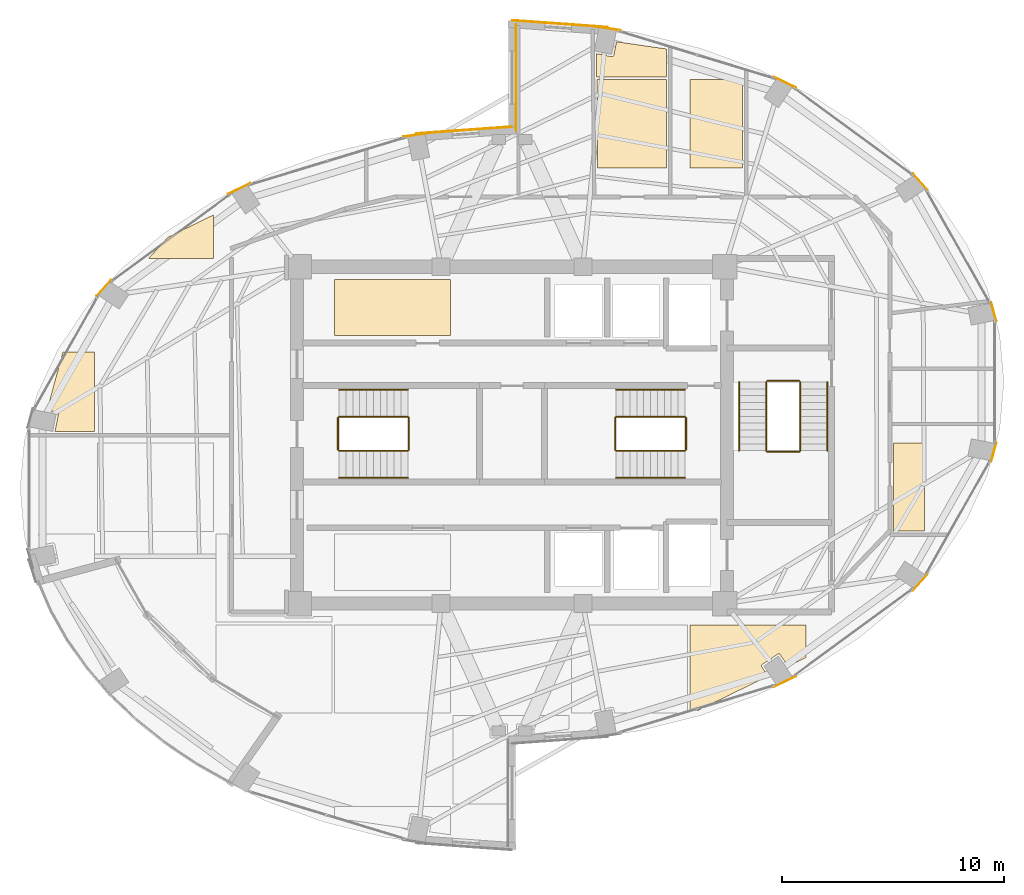
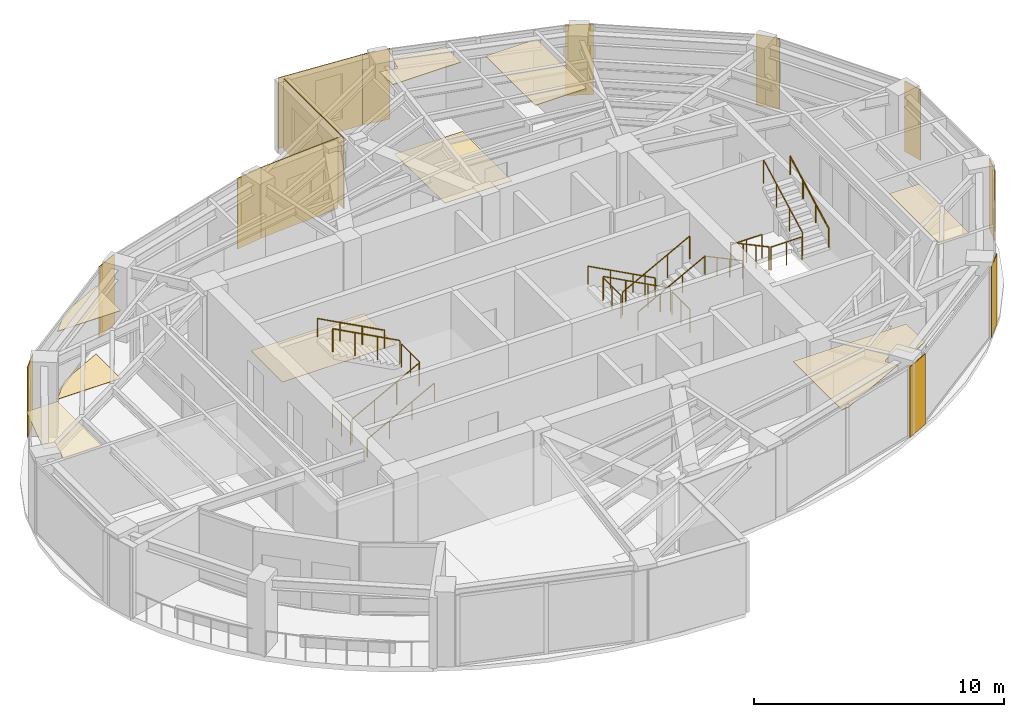
# One storey, part 21 of 21: 22 coverings, 18 railings.
"""IFC4 building model written with IfcOpenShell, lengths in metres."""

from ifc_helpers import new_model, si_unit, direction, frame, origin, origin_2d, place, context, subcontext, project, spatial, polyline, rectangle, circle, outline, extrude, material, layer, layer_set, type_object, element, save


model = new_model("IFC4")

# Units and contexts
model_context = context("Model", 3, precision=1e-05, world=origin(), true_north=direction((0.0, 1.0)))
body_context = subcontext(model_context, "Body", "Model", "MODEL_VIEW")
ifc_project = project(units=[si_unit("LENGTHUNIT", "METRE"), si_unit("AREAUNIT", "SQUARE_METRE"), si_unit("VOLUMEUNIT", "CUBIC_METRE"), si_unit("PLANEANGLEUNIT", "RADIAN"), si_unit("MASSUNIT", "GRAM", prefix="KILO")], contexts=[model_context])

# Site, building, storey
site_placement = place(None, origin())
site = spatial("IfcSite", under=ifc_project, at=site_placement, CompositionType="ELEMENT")
building_placement = place(site_placement, origin())
building = spatial("IfcBuilding", under=site, at=building_placement, Name="Lazwardi Medical Tower", CompositionType="ELEMENT")
storey_placement = place(building_placement, frame((0.0, 0.0, 216.719970703125)))
storey = spatial("IfcBuildingStorey", under=building, at=storey_placement, Name="L56", CompositionType="ELEMENT", Elevation=216.719970703125)

# Coverings
ifc_material_1 = material(Name="Anodised bronze aluminium cassette cladding", Category="aluminium")
ifc_layer_1 = layer(ifc_material_1, 0.030029296875)
ifc_layer_set_1 = layer_set([ifc_layer_1], Name="Anodised bronze aluminium cassette cladding")
covering_type_1 = type_object("IfcCoveringType", Name="COV-CLD-BRZ", PredefinedType="CLADDING", material=ifc_layer_set_1)
covering_1_placement = place(storey_placement, frame((48.311279296875, 16.878662109375, 0.0), z_axis=(0.0, 0.0, 1.0), x_axis=(0.897840141691, 0.440321564278, 0.0)))
element("IfcCovering", 1, at=covering_1_placement, inside=storey, type_object=covering_type_1, Name="L56 Mega-column bronze cassette cover M02", PredefinedType="CLADDING", context=body_context, shape_type="SweptSolid", body=[
    extrude(rectangle(XDim=1.110595703125, YDim=0.030029296875, at=origin_2d()), origin(), (0.0, 0.0, 1.0), 3.447998046875),
])
covering_2_placement = place(storey_placement, frame((54.42529296875, 21.365234375, 0.0), z_axis=(0.0, 0.0, 1.0), x_axis=(0.673240970654, 0.739423150458, 0.0)))
element("IfcCovering", 2, at=covering_2_placement, inside=storey, type_object=covering_type_1, Name="L56 Mega-column bronze cassette cover M03", PredefinedType="CLADDING", context=body_context, shape_type="SweptSolid", body=[
    extrude(rectangle(XDim=0.98974609375, YDim=0.030029296875, at=origin_2d()), origin(), (0.0, 0.0, 1.0), 3.447998046875),
])
for number, where, z_axis, x_axis, name in (
    (3, (57.734130859375, 27.227294921875, 0.0), (0.0, 0.0, 1.0), (0.261641748247, 0.96516506131, 0.0), "L56 Mega-column bronze cassette cover M04"),
    (4, (57.734130859375, 33.572509765625, 0.0), (0.0, 0.0, 1.0), (-0.261641748247, 0.96516506131, 0.0), "L56 Mega-column bronze cassette cover M05"),
):
    element("IfcCovering", number, at=place(storey_placement, frame(where, z_axis=z_axis, x_axis=x_axis)), inside=storey, type_object=covering_type_1, Name=name, PredefinedType="CLADDING", context=body_context, shape_type="SweptSolid", body=[
        extrude(rectangle(XDim=0.894287109375, YDim=0.030029296875, at=origin_2d()), origin(), (0.0, 0.0, 1.0), 3.447998046875),
    ])
covering_3_placement = place(storey_placement, frame((54.42529296875, 39.434814453125, 0.0), z_axis=(0.0, 0.0, 1.0), x_axis=(-0.673240970654, 0.739423150458, 0.0)))
element("IfcCovering", 5, at=covering_3_placement, inside=storey, type_object=covering_type_1, Name="L56 Mega-column bronze cassette cover M06", PredefinedType="CLADDING", context=body_context, shape_type="SweptSolid", body=[
    extrude(rectangle(XDim=0.98974609375, YDim=0.030029296875, at=origin_2d()), origin(), (0.0, 0.0, 1.0), 3.447998046875),
])
covering_4_placement = place(storey_placement, frame((48.311279296875, 43.92138671875, 0.0), z_axis=(0.0, 0.0, 1.0), x_axis=(-0.897840141691, 0.440321564278, 0.0)))
element("IfcCovering", 6, at=covering_4_placement, inside=storey, type_object=covering_type_1, Name="L56 Mega-column bronze cassette cover M07", PredefinedType="CLADDING", context=body_context, shape_type="SweptSolid", body=[
    extrude(rectangle(XDim=1.110595703125, YDim=0.030029296875, at=origin_2d()), origin(), (0.0, 0.0, 1.0), 3.447998046875),
])
for number, where, z_axis, x_axis, name in (
    (7, (40.3232421875, 46.349609375, 0.0), (0.0, 0.0, 1.0), (-0.989512431533, 0.144447733943, 0.0), "L56 Mega-column bronze cassette cover M08"),
    (8, (31.6767578125, 41.549560546875, 0.0), (0.0, 0.0, 1.0), (-0.989512431533, -0.144447733943, 0.0), "L56 Mega-column bronze cassette cover M09"),
):
    element("IfcCovering", number, at=place(storey_placement, frame(where, z_axis=z_axis, x_axis=x_axis)), inside=storey, type_object=covering_type_1, Name=name, PredefinedType="CLADDING", context=body_context, shape_type="SweptSolid", body=[
        extrude(rectangle(XDim=1.188720703125, YDim=0.030029296875, at=origin_2d()), origin(), (0.0, 0.0, 1.0), 3.447998046875),
    ])
covering_5_placement = place(storey_placement, frame((23.688720703125, 39.121337890625, 0.0), z_axis=(0.0, 0.0, 1.0), x_axis=(-0.897840141691, -0.440321564278, 0.0)))
element("IfcCovering", 9, at=covering_5_placement, inside=storey, type_object=covering_type_1, Name="L56 Mega-column bronze cassette cover M10", PredefinedType="CLADDING", context=body_context, shape_type="SweptSolid", body=[
    extrude(rectangle(XDim=1.110595703125, YDim=0.030029296875, at=origin_2d()), origin(), (0.0, 0.0, 1.0), 3.447998046875),
])
covering_6_placement = place(storey_placement, frame((17.57470703125, 34.634765625, 0.0), z_axis=(0.0, 0.0, 1.0), x_axis=(-0.673240970654, -0.739423150458, 0.0)))
element("IfcCovering", 10, at=covering_6_placement, inside=storey, type_object=covering_type_1, Name="L56 Mega-column bronze cassette cover M11", PredefinedType="CLADDING", context=body_context, shape_type="SweptSolid", body=[
    extrude(rectangle(XDim=0.98974609375, YDim=0.030029296875, at=origin_2d()), origin(), (0.0, 0.0, 1.0), 3.447998046875),
])
ifc_material_2 = material(Name="Turquoise glazed ceramic tilework cladding", Category="masonry")
ifc_layer_2 = layer(ifc_material_2, 0.034912109375)
ifc_layer_set_2 = layer_set([ifc_layer_2], Name="Turquoise glazed ceramic tilework cladding")
covering_type_2 = type_object("IfcCoveringType", Name="COV-CLD-TRQ", PredefinedType="CLADDING", material=ifc_layer_set_2)
covering_7_placement = place(storey_placement, frame((38.16259765625, 46.56005859375, 0.0), z_axis=(0.0, 0.0, 1.0), x_axis=(-0.997409491337, 0.071932653157, 0.0)))
element("IfcCovering", 11, at=covering_7_placement, inside=storey, type_object=covering_type_2, Name="L56 Turquoise glazed ceramic tilework cladding", PredefinedType="CLADDING", context=body_context, shape_type="SweptSolid", body=[
    extrude(rectangle(XDim=4.31103515625, YDim=0.034912109375, at=origin_2d()), origin(), (0.0, 0.0, 1.0), 3.447998046875),
])
covering_8_placement = place(storey_placement, frame((33.83740234375, 41.760009765625, 0.0), z_axis=(0.0, 0.0, 1.0), x_axis=(-0.997408989128, -0.071939616387, 0.0)))
element("IfcCovering", 12, at=covering_8_placement, inside=storey, type_object=covering_type_2, Name="L56 Turquoise glazed ceramic tilework cladding", PredefinedType="CLADDING", context=body_context, shape_type="SweptSolid", body=[
    extrude(rectangle(XDim=4.310546875, YDim=0.034912109375, at=origin_2d()), origin(), (0.0, 0.0, 1.0), 3.447998046875),
])
covering_9_placement = place(storey_placement, frame((36.175537109375, 44.139892578125, 0.0), z_axis=(0.0, 0.0, 1.0), x_axis=(0.0, -1.0, 0.0)))
element("IfcCovering", 13, at=covering_9_placement, inside=storey, type_object=covering_type_2, Name="L56 Turquoise glazed ceramic tilework iwan panel", PredefinedType="CLADDING", context=body_context, shape_type="SweptSolid", body=[
    extrude(rectangle(XDim=4.800048828125, YDim=0.034912109375, at=origin_2d()), origin(), (0.0, 0.0, 1.0), 3.447998046875),
])
ifc_material_3 = material(Name="Acoustic mineral fibre tile")
ifc_layer_3 = layer(ifc_material_3, 0.02490234375)
ifc_layer_set_3 = layer_set([ifc_layer_3], Name="Acoustic mineral fibre tile")
covering_type_3 = type_object("IfcCoveringType", Name="COV-CLG-01", PredefinedType="CEILING", material=ifc_layer_set_3)
covering_10_placement = place(storey_placement, frame((0.0, 0.0, 3.302978515625)))
element("IfcCovering", 14, at=covering_10_placement, inside=storey, type_object=covering_type_3, Name="L56 Clinical Acoustic Ceiling 1", PredefinedType="CEILING", context=body_context, shape_type="SweptSolid", body=[
    extrude(outline(polyline([(15.740478515625, 31.742431640625), (15.728271484375, 31.729248046875), (15.0224609375, 29.13134765625), (15.4716796875, 29.0419921875), (15.479248046875, 29.040283203125), (15.486572265625, 29.03759765625), (15.49365234375, 29.0341796875), (15.50048828125, 29.030029296875), (15.5068359375, 29.025390625), (15.5126953125, 29.020263671875), (15.517822265625, 29.014404296875), (15.5224609375, 29.008056640625), (15.526611328125, 29.001220703125), (15.52978515625, 28.994140625), (15.53271484375, 28.98681640625), (15.534423828125, 28.979248046875), (15.53564453125, 28.971435546875), (15.535888671875, 28.963623046875), (15.53564453125, 28.955810546875), (15.534423828125, 28.947998046875), (15.378662109375, 28.1650390625), (17.1728515625, 28.1650390625), (17.1728515625, 31.742431640625), (15.740478515625, 31.742431640625)])), origin(), (0.0, 0.0, 1.0), 0.025146484375),
])
covering_11_placement = place(storey_placement, frame((0.0, 0.0, 3.302978515625)))
element("IfcCovering", 15, at=covering_11_placement, inside=storey, type_object=covering_type_3, Name="L56 Clinical Acoustic Ceiling 3", PredefinedType="CEILING", context=body_context, shape_type="SweptSolid", body=[
    extrude(outline(polyline([(22.52294921875, 37.93359375), (20.478271484375, 36.933349609375), (19.592041015625, 35.96240234375), (22.52294921875, 35.96240234375), (22.52294921875, 37.93359375)])), origin(), (0.0, 0.0, 1.0), 0.025146484375),
])
covering_12_placement = place(storey_placement, frame((0.0, 0.0, 3.302978515625)))
element("IfcCovering", 16, at=covering_12_placement, inside=storey, type_object=covering_type_3, Name="L56 Clinical Acoustic Ceiling 7", PredefinedType="CEILING", context=body_context, shape_type="SweptSolid", body=[
    extrude(outline(polyline([(42.97509765625, 44.16259765625), (42.97509765625, 45.42333984375), (40.714599609375, 45.752685546875), (40.59326171875, 45.1416015625), (40.59130859375, 45.134033203125), (40.588623046875, 45.126708984375), (40.585205078125, 45.11962890625), (40.581298828125, 45.11279296875), (40.576416015625, 45.1064453125), (40.5712890625, 45.1005859375), (40.5654296875, 45.095458984375), (40.55908203125, 45.0908203125), (40.552490234375, 45.086669921875), (40.54541015625, 45.08349609375), (40.537841796875, 45.080810546875), (40.5302734375, 45.078857421875), (40.5224609375, 45.07763671875), (40.5146484375, 45.077392578125), (40.5068359375, 45.07763671875), (40.4990234375, 45.078857421875), (39.81298828125, 45.21533203125), (39.822998046875, 44.16259765625), (42.97509765625, 44.16259765625)])), origin(), (0.0, 0.0, 1.0), 0.025146484375),
])
covering_13_placement = place(storey_placement, frame((0.0, 0.0, 3.302978515625)))
element("IfcCovering", 17, at=covering_13_placement, inside=storey, type_object=covering_type_3, Name="L56 Clinical Acoustic Ceiling 8", PredefinedType="CEILING", context=body_context, shape_type="SweptSolid", body=[
    extrude(outline(polyline([(44.04296875, 15.531982421875), (44.40283203125, 15.58447265625), (47.5478515625, 17.122802734375), (47.267822265625, 17.5419921875), (47.263916015625, 17.548828125), (47.260498046875, 17.555908203125), (47.2578125, 17.563232421875), (47.255859375, 17.57080078125), (47.2548828125, 17.57861328125), (47.25439453125, 17.58642578125), (47.2548828125, 17.59423828125), (47.255859375, 17.60205078125), (47.2578125, 17.609619140625), (47.260498046875, 17.6171875), (47.263916015625, 17.624267578125), (47.267822265625, 17.630859375), (47.272705078125, 17.63720703125), (47.27783203125, 17.64306640625), (47.28369140625, 17.648193359375), (47.2900390625, 17.653076171875), (47.98828125, 18.11962890625), (47.9951171875, 18.123779296875), (48.002197265625, 18.127197265625), (48.009521484375, 18.1298828125), (48.01708984375, 18.131591796875), (48.02490234375, 18.1328125), (48.03271484375, 18.13330078125), (48.04052734375, 18.1328125), (48.04833984375, 18.131591796875), (48.055908203125, 18.1298828125), (48.0634765625, 18.127197265625), (48.070556640625, 18.123779296875), (48.0771484375, 18.11962890625), (48.08349609375, 18.114990234375), (48.08935546875, 18.10986328125), (48.094482421875, 18.10400390625), (48.099365234375, 18.09765625), (48.454345703125, 17.56640625), (49.27294921875, 17.966796875), (49.27294921875, 19.4423828125), (44.04296875, 19.4423828125), (44.04296875, 15.531982421875)])), origin(), (0.0, 0.0, 1.0), 0.025146484375),
])
covering_14_placement = place(storey_placement, frame((0.0, 0.0, 3.302978515625)))
element("IfcCovering", 18, at=covering_14_placement, inside=storey, type_object=covering_type_3, Name="L56 Clinical Acoustic Ceiling 9", PredefinedType="CEILING", context=body_context, shape_type="SweptSolid", body=[
    extrude(outline(polyline([(46.405029296875, 40.0625), (46.405029296875, 44.04248046875), (44.04296875, 44.04248046875), (44.04296875, 40.0625), (46.405029296875, 40.0625)])), origin(), (0.0, 0.0, 1.0), 0.025146484375),
])
covering_15_placement = place(storey_placement, frame((0.0, 0.0, 3.302978515625)))
element("IfcCovering", 19, at=covering_15_placement, inside=storey, type_object=covering_type_3, Name="L56 Clinical Acoustic Ceiling 10", PredefinedType="CEILING", context=body_context, shape_type="SweptSolid", body=[
    extrude(outline(polyline([(53.22509765625, 27.642578125), (53.22509765625, 23.685546875), (53.224853515625, 23.681884765625), (53.224609375, 23.6728515625), (53.223876953125, 23.6650390625), (54.622802734375, 23.6650390625), (54.622802734375, 27.642578125), (53.22509765625, 27.642578125)])), origin(), (0.0, 0.0, 1.0), 0.025146484375),
])
ifc_material_4 = material(Name="Anti-static hospital vinyl sheet flooring")
ifc_layer_4 = layer(ifc_material_4, 0.014892578125)
ifc_layer_set_4 = layer_set([ifc_layer_4], Name="Anti-static hospital vinyl sheet flooring")
covering_type_4 = type_object("IfcCoveringType", Name="COV-FLR-01", PredefinedType="FLOORING", material=ifc_layer_set_4)
covering_16_placement = place(storey_placement, origin())
element("IfcCovering", 20, at=covering_16_placement, inside=storey, type_object=covering_type_4, Name="L56 Clinical Vinyl Flooring 3", PredefinedType="FLOORING", context=body_context, shape_type="SweptSolid", body=[
    extrude(outline(polyline([(22.52294921875, 37.93359375), (20.478271484375, 36.933349609375), (19.592041015625, 35.96240234375), (22.52294921875, 35.96240234375), (22.52294921875, 37.93359375)])), origin(), (0.0, 0.0, 1.0), 0.01513671875),
])
covering_17_placement = place(storey_placement, origin())
element("IfcCovering", 21, at=covering_17_placement, inside=storey, type_object=covering_type_4, Name="L56 Clinical Vinyl Flooring 7", PredefinedType="FLOORING", context=body_context, shape_type="SweptSolid", body=[
    extrude(outline(polyline([(33.222900390625, 35.02001953125), (27.992919921875, 35.02001953125), (27.992919921875, 32.5), (33.222900390625, 32.5), (33.222900390625, 35.02001953125)])), origin(), (0.0, 0.0, 1.0), 0.01513671875),
])
covering_18_placement = place(storey_placement, origin())
element("IfcCovering", 22, at=covering_18_placement, inside=storey, type_object=covering_type_4, Name="L56 Clinical Vinyl Flooring 10", PredefinedType="FLOORING", context=body_context, shape_type="SweptSolid", body=[
    extrude(outline(polyline([(39.82421875, 44.04248046875), (39.862548828125, 40.0625), (42.97509765625, 40.0625), (42.97509765625, 44.04248046875), (39.82421875, 44.04248046875)])), origin(), (0.0, 0.0, 1.0), 0.01513671875),
])

# Railings
ifc_material_5 = material(Name="Stainless steel Grade 316", Category="steel")
railing_type_1 = type_object("IfcRailingType", Name="RLG-GRD-1150", PredefinedType="GUARDRAIL", material=ifc_material_5)
railing_1_placement = place(storey_placement, frame((28.199951171875, 27.2900390625, 0.165771484375)))
element("IfcRailing", 23, at=railing_1_placement, inside=storey, type_object=railing_type_1, Name="L56 ST1 stair guard 1", PredefinedType="GUARDRAIL", context=body_context, shape_type="SweptSolid", body=[
    extrude(circle(Radius=0.02392578125, at=origin_2d()), frame((0.0, 0.0, 1.1259765625), z_axis=(0.881783298633, 0.0, 0.471654761719), x_axis=(0.0, 1.0, 0.0)), (0.0, 0.0, 1.0), 3.515625),
    extrude(circle(Radius=0.02099609375, at=origin_2d()), origin(), (0.0, 0.0, 1.0), 1.099853515625),
    extrude(circle(Radius=0.02099609375, at=origin_2d()), frame((1.033447265625, 0.0, 0.552734375)), (0.0, 0.0, 1.0), 1.099853515625),
    extrude(circle(Radius=0.02099609375, at=origin_2d()), frame((2.066650390625, 0.0, 1.10546875)), (0.0, 0.0, 1.0), 1.099853515625),
    extrude(circle(Radius=0.02099609375, at=origin_2d()), frame((3.10009765625, 0.0, 1.658203125)), (0.0, 0.0, 1.0), 1.099853515625),
])
railing_2_placement = place(storey_placement, frame((31.35009765625, 27.340087890625, 1.823974609375)))
element("IfcRailing", 24, at=railing_2_placement, inside=storey, type_object=railing_type_1, Name="L56 ST1 stair guard 2", PredefinedType="GUARDRAIL", context=body_context, shape_type="SweptSolid", body=[
    extrude(circle(Radius=0.02392578125, at=origin_2d()), frame((0.0, 0.0, 1.1259765625), z_axis=(0.0, 1.0, 0.0), x_axis=(-1.0, 0.0, 0.0)), (0.0, 0.0, 1.0), 1.43994140625),
    extrude(circle(Radius=0.02099609375, at=origin_2d()), origin(), (0.0, 0.0, 1.0), 1.099853515625),
    extrude(circle(Radius=0.02099609375, at=origin_2d()), frame((0.0, 0.719970703125, 0.0)), (0.0, 0.0, 1.0), 1.099853515625),
    extrude(circle(Radius=0.02099609375, at=origin_2d()), frame((0.0, 1.43994140625, 0.0)), (0.0, 0.0, 1.0), 1.099853515625),
])
railing_3_placement = place(storey_placement, frame((31.300048828125, 28.830078125, 1.98974609375)))
element("IfcRailing", 25, at=railing_3_placement, inside=storey, type_object=railing_type_1, Name="L56 ST1 stair guard 3", PredefinedType="GUARDRAIL", context=body_context, shape_type="SweptSolid", body=[
    extrude(circle(Radius=0.02392578125, at=origin_2d()), frame((0.0, 0.0, 1.1259765625), z_axis=(-0.881783298633, 0.0, 0.471654761719), x_axis=(0.0, -1.0, 0.0)), (0.0, 0.0, 1.0), 3.515625),
    extrude(circle(Radius=0.02099609375, at=origin_2d()), origin(), (0.0, 0.0, 1.0), 1.099853515625),
    extrude(circle(Radius=0.02099609375, at=origin_2d()), frame((-1.033447265625, 0.0, 0.552734375)), (0.0, 0.0, 1.0), 1.099853515625),
    extrude(circle(Radius=0.02099609375, at=origin_2d()), frame((-2.066650390625, 0.0, 1.10546875)), (0.0, 0.0, 1.0), 1.099853515625),
    extrude(circle(Radius=0.02099609375, at=origin_2d()), frame((-3.10009765625, 0.0, 1.658203125)), (0.0, 0.0, 1.0), 1.099853515625),
])
railing_4_placement = place(storey_placement, frame((28.14990234375, 27.340087890625, 0.0)))
element("IfcRailing", 26, at=railing_4_placement, inside=storey, type_object=railing_type_1, Name="L56 ST1 stair guard 4", PredefinedType="GUARDRAIL", context=body_context, shape_type="SweptSolid", body=[
    extrude(circle(Radius=0.02392578125, at=origin_2d()), frame((0.0, 0.0, 1.1259765625), z_axis=(0.0, 1.0, 0.0), x_axis=(-1.0, 0.0, 0.0)), (0.0, 0.0, 1.0), 1.43994140625),
    extrude(circle(Radius=0.02099609375, at=origin_2d()), origin(), (0.0, 0.0, 1.0), 1.099853515625),
    extrude(circle(Radius=0.02099609375, at=origin_2d()), frame((0.0, 0.719970703125, 0.0)), (0.0, 0.0, 1.0), 1.099853515625),
    extrude(circle(Radius=0.02099609375, at=origin_2d()), frame((0.0, 1.43994140625, 0.0)), (0.0, 0.0, 1.0), 1.099853515625),
])
railing_5_placement = place(storey_placement, frame((43.800048828125, 28.830078125, 0.165771484375)))
element("IfcRailing", 27, at=railing_5_placement, inside=storey, type_object=railing_type_1, Name="L56 ST2 stair guard 1", PredefinedType="GUARDRAIL", context=body_context, shape_type="SweptSolid", body=[
    extrude(circle(Radius=0.02392578125, at=origin_2d()), frame((0.0, 0.0, 1.1259765625), z_axis=(-0.881783298633, 0.0, 0.471654761719), x_axis=(0.0, -1.0, 0.0)), (0.0, 0.0, 1.0), 3.515625),
    extrude(circle(Radius=0.02099609375, at=origin_2d()), origin(), (0.0, 0.0, 1.0), 1.099853515625),
    extrude(circle(Radius=0.02099609375, at=origin_2d()), frame((-1.033447265625, 0.0, 0.552734375)), (0.0, 0.0, 1.0), 1.099853515625),
    extrude(circle(Radius=0.02099609375, at=origin_2d()), frame((-2.066650390625, 0.0, 1.10546875)), (0.0, 0.0, 1.0), 1.099853515625),
    extrude(circle(Radius=0.02099609375, at=origin_2d()), frame((-3.10009765625, 0.0, 1.658203125)), (0.0, 0.0, 1.0), 1.099853515625),
])
railing_6_placement = place(storey_placement, frame((40.64990234375, 28.780029296875, 1.823974609375)))
element("IfcRailing", 28, at=railing_6_placement, inside=storey, type_object=railing_type_1, Name="L56 ST2 stair guard 2", PredefinedType="GUARDRAIL", context=body_context, shape_type="SweptSolid", body=[
    extrude(circle(Radius=0.02392578125, at=origin_2d()), frame((0.0, 0.0, 1.1259765625), z_axis=(0.0, -1.0, 0.0), x_axis=(1.0, 0.0, 0.0)), (0.0, 0.0, 1.0), 1.43994140625),
    extrude(circle(Radius=0.02099609375, at=origin_2d()), origin(), (0.0, 0.0, 1.0), 1.099853515625),
    extrude(circle(Radius=0.02099609375, at=origin_2d()), frame((0.0, -0.719970703125, 0.0)), (0.0, 0.0, 1.0), 1.099853515625),
    extrude(circle(Radius=0.02099609375, at=origin_2d()), frame((0.0, -1.43994140625, 0.0)), (0.0, 0.0, 1.0), 1.099853515625),
])
railing_7_placement = place(storey_placement, frame((40.699951171875, 27.2900390625, 1.98974609375)))
element("IfcRailing", 29, at=railing_7_placement, inside=storey, type_object=railing_type_1, Name="L56 ST2 stair guard 3", PredefinedType="GUARDRAIL", context=body_context, shape_type="SweptSolid", body=[
    extrude(circle(Radius=0.02392578125, at=origin_2d()), frame((0.0, 0.0, 1.1259765625), z_axis=(0.881783298633, 0.0, 0.471654761719), x_axis=(0.0, 1.0, 0.0)), (0.0, 0.0, 1.0), 3.515625),
    extrude(circle(Radius=0.02099609375, at=origin_2d()), origin(), (0.0, 0.0, 1.0), 1.099853515625),
    extrude(circle(Radius=0.02099609375, at=origin_2d()), frame((1.033447265625, 0.0, 0.552734375)), (0.0, 0.0, 1.0), 1.099853515625),
    extrude(circle(Radius=0.02099609375, at=origin_2d()), frame((2.066650390625, 0.0, 1.10546875)), (0.0, 0.0, 1.0), 1.099853515625),
    extrude(circle(Radius=0.02099609375, at=origin_2d()), frame((3.10009765625, 0.0, 1.658203125)), (0.0, 0.0, 1.0), 1.099853515625),
])
railing_8_placement = place(storey_placement, frame((43.85009765625, 28.780029296875, 0.0)))
element("IfcRailing", 30, at=railing_8_placement, inside=storey, type_object=railing_type_1, Name="L56 ST2 stair guard 4", PredefinedType="GUARDRAIL", context=body_context, shape_type="SweptSolid", body=[
    extrude(circle(Radius=0.02392578125, at=origin_2d()), frame((0.0, 0.0, 1.1259765625), z_axis=(0.0, -1.0, 0.0), x_axis=(1.0, 0.0, 0.0)), (0.0, 0.0, 1.0), 1.43994140625),
    extrude(circle(Radius=0.02099609375, at=origin_2d()), origin(), (0.0, 0.0, 1.0), 1.099853515625),
    extrude(circle(Radius=0.02099609375, at=origin_2d()), frame((0.0, -0.719970703125, 0.0)), (0.0, 0.0, 1.0), 1.099853515625),
    extrude(circle(Radius=0.02099609375, at=origin_2d()), frame((0.0, -1.43994140625, 0.0)), (0.0, 0.0, 1.0), 1.099853515625),
])
railing_9_placement = place(storey_placement, frame((47.469970703125, 30.39990234375, 0.165771484375)))
element("IfcRailing", 31, at=railing_9_placement, inside=storey, type_object=railing_type_1, Name="L56 ST3 stair guard 1", PredefinedType="GUARDRAIL", context=body_context, shape_type="SweptSolid", body=[
    extrude(circle(Radius=0.02392578125, at=origin_2d()), frame((0.0, 0.0, 1.1259765625), z_axis=(0.0, -0.881767849116, 0.471683644262), x_axis=(1.0, 0.0, 0.0)), (0.0, 0.0, 1.0), 3.515380859375),
    extrude(circle(Radius=0.02099609375, at=origin_2d()), origin(), (0.0, 0.0, 1.0), 1.099853515625),
    extrude(circle(Radius=0.02099609375, at=origin_2d()), frame((0.0, -1.033203125, 0.552734375)), (0.0, 0.0, 1.0), 1.099853515625),
    extrude(circle(Radius=0.02099609375, at=origin_2d()), frame((0.0, -2.066650390625, 1.10546875)), (0.0, 0.0, 1.0), 1.099853515625),
    extrude(circle(Radius=0.02099609375, at=origin_2d()), frame((0.0, -3.099853515625, 1.658203125)), (0.0, 0.0, 1.0), 1.099853515625),
])
railing_10_placement = place(storey_placement, frame((47.52001953125, 27.25, 1.823974609375)))
element("IfcRailing", 32, at=railing_10_placement, inside=storey, type_object=railing_type_1, Name="L56 ST3 stair guard 2", PredefinedType="GUARDRAIL", context=body_context, shape_type="SweptSolid", body=[
    extrude(circle(Radius=0.02392578125, at=origin_2d()), frame((0.0, 0.0, 1.1259765625), z_axis=(1.0, 0.0, 0.0), x_axis=(0.0, 1.0, 0.0)), (0.0, 0.0, 1.0), 1.43994140625),
    extrude(circle(Radius=0.02099609375, at=origin_2d()), origin(), (0.0, 0.0, 1.0), 1.099853515625),
    extrude(circle(Radius=0.02099609375, at=origin_2d()), frame((0.719970703125, 0.0, 0.0)), (0.0, 0.0, 1.0), 1.099853515625),
    extrude(circle(Radius=0.02099609375, at=origin_2d()), frame((1.43994140625, 0.0, 0.0)), (0.0, 0.0, 1.0), 1.099853515625),
])
railing_11_placement = place(storey_placement, frame((49.010009765625, 27.300048828125, 1.98974609375)))
element("IfcRailing", 33, at=railing_11_placement, inside=storey, type_object=railing_type_1, Name="L56 ST3 stair guard 3", PredefinedType="GUARDRAIL", context=body_context, shape_type="SweptSolid", body=[
    extrude(circle(Radius=0.02392578125, at=origin_2d()), frame((0.0, 0.0, 1.1259765625), z_axis=(0.0, 0.881767849116, 0.471683644262), x_axis=(-1.0, 0.0, 0.0)), (0.0, 0.0, 1.0), 3.515380859375),
    extrude(circle(Radius=0.02099609375, at=origin_2d()), origin(), (0.0, 0.0, 1.0), 1.099853515625),
    extrude(circle(Radius=0.02099609375, at=origin_2d()), frame((0.0, 1.033203125, 0.552734375)), (0.0, 0.0, 1.0), 1.099853515625),
    extrude(circle(Radius=0.02099609375, at=origin_2d()), frame((0.0, 2.066650390625, 1.10546875)), (0.0, 0.0, 1.0), 1.099853515625),
    extrude(circle(Radius=0.02099609375, at=origin_2d()), frame((0.0, 3.099853515625, 1.658203125)), (0.0, 0.0, 1.0), 1.099853515625),
])
railing_12_placement = place(storey_placement, frame((47.52001953125, 30.449951171875, 0.0)))
element("IfcRailing", 34, at=railing_12_placement, inside=storey, type_object=railing_type_1, Name="L56 ST3 stair guard 4", PredefinedType="GUARDRAIL", context=body_context, shape_type="SweptSolid", body=[
    extrude(circle(Radius=0.02392578125, at=origin_2d()), frame((0.0, 0.0, 1.1259765625), z_axis=(1.0, 0.0, 0.0), x_axis=(0.0, 1.0, 0.0)), (0.0, 0.0, 1.0), 1.43994140625),
    extrude(circle(Radius=0.02099609375, at=origin_2d()), origin(), (0.0, 0.0, 1.0), 1.099853515625),
    extrude(circle(Radius=0.02099609375, at=origin_2d()), frame((0.719970703125, 0.0, 0.0)), (0.0, 0.0, 1.0), 1.099853515625),
    extrude(circle(Radius=0.02099609375, at=origin_2d()), frame((1.43994140625, 0.0, 0.0)), (0.0, 0.0, 1.0), 1.099853515625),
])
railing_type_2 = type_object("IfcRailingType", Name="RLG-HND-920", PredefinedType="HANDRAIL", material=ifc_material_5)
railing_13_placement = place(storey_placement, frame((28.199951171875, 26.070068359375, 0.165771484375)))
element("IfcRailing", 35, at=railing_13_placement, inside=storey, type_object=railing_type_2, Name="L56 ST1 stair handrail 1", PredefinedType="HANDRAIL", context=body_context, shape_type="SweptSolid", body=[
    extrude(circle(Radius=0.02392578125, at=origin_2d()), frame((0.0, 0.0, 0.8857421875), z_axis=(0.881783298633, 0.0, 0.471654761719), x_axis=(0.0, 1.0, 0.0)), (0.0, 0.0, 1.0), 3.515625),
    extrude(circle(Radius=0.02099609375, at=origin_2d()), origin(), (0.0, 0.0, 1.0), 0.85986328125),
    extrude(circle(Radius=0.02099609375, at=origin_2d()), frame((1.033447265625, 0.0, 0.552734375)), (0.0, 0.0, 1.0), 0.85986328125),
    extrude(circle(Radius=0.02099609375, at=origin_2d()), frame((2.066650390625, 0.0, 1.10546875)), (0.0, 0.0, 1.0), 0.85986328125),
    extrude(circle(Radius=0.02099609375, at=origin_2d()), frame((3.10009765625, 0.0, 1.658203125)), (0.0, 0.0, 1.0), 0.85986328125),
])
for number, where, name in (
    (36, (31.300048828125, 30.050048828125, 1.98974609375), "L56 ST1 stair handrail 2"),
    (37, (43.800048828125, 30.050048828125, 0.165771484375), "L56 ST2 stair handrail 1"),
):
    element("IfcRailing", number, at=place(storey_placement, frame(where)), inside=storey, type_object=railing_type_2, Name=name, PredefinedType="HANDRAIL", context=body_context, shape_type="SweptSolid", body=[
        extrude(circle(Radius=0.02392578125, at=origin_2d()), frame((0.0, 0.0, 0.8857421875), z_axis=(-0.881783298633, 0.0, 0.471654761719), x_axis=(0.0, -1.0, 0.0)), (0.0, 0.0, 1.0), 3.515625),
        extrude(circle(Radius=0.02099609375, at=origin_2d()), origin(), (0.0, 0.0, 1.0), 0.85986328125),
        extrude(circle(Radius=0.02099609375, at=origin_2d()), frame((-1.033447265625, 0.0, 0.552734375)), (0.0, 0.0, 1.0), 0.85986328125),
        extrude(circle(Radius=0.02099609375, at=origin_2d()), frame((-2.066650390625, 0.0, 1.10546875)), (0.0, 0.0, 1.0), 0.85986328125),
        extrude(circle(Radius=0.02099609375, at=origin_2d()), frame((-3.10009765625, 0.0, 1.658203125)), (0.0, 0.0, 1.0), 0.85986328125),
    ])
railing_14_placement = place(storey_placement, frame((40.699951171875, 26.070068359375, 1.98974609375)))
element("IfcRailing", 38, at=railing_14_placement, inside=storey, type_object=railing_type_2, Name="L56 ST2 stair handrail 2", PredefinedType="HANDRAIL", context=body_context, shape_type="SweptSolid", body=[
    extrude(circle(Radius=0.02392578125, at=origin_2d()), frame((0.0, 0.0, 0.8857421875), z_axis=(0.881783298633, 0.0, 0.471654761719), x_axis=(0.0, 1.0, 0.0)), (0.0, 0.0, 1.0), 3.515625),
    extrude(circle(Radius=0.02099609375, at=origin_2d()), origin(), (0.0, 0.0, 1.0), 0.85986328125),
    extrude(circle(Radius=0.02099609375, at=origin_2d()), frame((1.033447265625, 0.0, 0.552734375)), (0.0, 0.0, 1.0), 0.85986328125),
    extrude(circle(Radius=0.02099609375, at=origin_2d()), frame((2.066650390625, 0.0, 1.10546875)), (0.0, 0.0, 1.0), 0.85986328125),
    extrude(circle(Radius=0.02099609375, at=origin_2d()), frame((3.10009765625, 0.0, 1.658203125)), (0.0, 0.0, 1.0), 0.85986328125),
])
railing_15_placement = place(storey_placement, frame((46.25, 30.39990234375, 0.165771484375)))
element("IfcRailing", 39, at=railing_15_placement, inside=storey, type_object=railing_type_2, Name="L56 ST3 stair handrail 1", PredefinedType="HANDRAIL", context=body_context, shape_type="SweptSolid", body=[
    extrude(circle(Radius=0.02392578125, at=origin_2d()), frame((0.0, 0.0, 0.8857421875), z_axis=(0.0, -0.881767849116, 0.471683644262), x_axis=(1.0, 0.0, 0.0)), (0.0, 0.0, 1.0), 3.515380859375),
    extrude(circle(Radius=0.02099609375, at=origin_2d()), origin(), (0.0, 0.0, 1.0), 0.85986328125),
    extrude(circle(Radius=0.02099609375, at=origin_2d()), frame((0.0, -1.033203125, 0.552734375)), (0.0, 0.0, 1.0), 0.85986328125),
    extrude(circle(Radius=0.02099609375, at=origin_2d()), frame((0.0, -2.066650390625, 1.10546875)), (0.0, 0.0, 1.0), 0.85986328125),
    extrude(circle(Radius=0.02099609375, at=origin_2d()), frame((0.0, -3.099853515625, 1.658203125)), (0.0, 0.0, 1.0), 0.85986328125),
])
railing_16_placement = place(storey_placement, frame((50.22998046875, 27.300048828125, 1.98974609375)))
element("IfcRailing", 40, at=railing_16_placement, inside=storey, type_object=railing_type_2, Name="L56 ST3 stair handrail 2", PredefinedType="HANDRAIL", context=body_context, shape_type="SweptSolid", body=[
    extrude(circle(Radius=0.02392578125, at=origin_2d()), frame((0.0, 0.0, 0.8857421875), z_axis=(0.0, 0.881767849116, 0.471683644262), x_axis=(-1.0, 0.0, 0.0)), (0.0, 0.0, 1.0), 3.515380859375),
    extrude(circle(Radius=0.02099609375, at=origin_2d()), origin(), (0.0, 0.0, 1.0), 0.85986328125),
    extrude(circle(Radius=0.02099609375, at=origin_2d()), frame((0.0, 1.033203125, 0.552734375)), (0.0, 0.0, 1.0), 0.85986328125),
    extrude(circle(Radius=0.02099609375, at=origin_2d()), frame((0.0, 2.066650390625, 1.10546875)), (0.0, 0.0, 1.0), 0.85986328125),
    extrude(circle(Radius=0.02099609375, at=origin_2d()), frame((0.0, 3.099853515625, 1.658203125)), (0.0, 0.0, 1.0), 0.85986328125),
])

save(model, "model.ifc")
